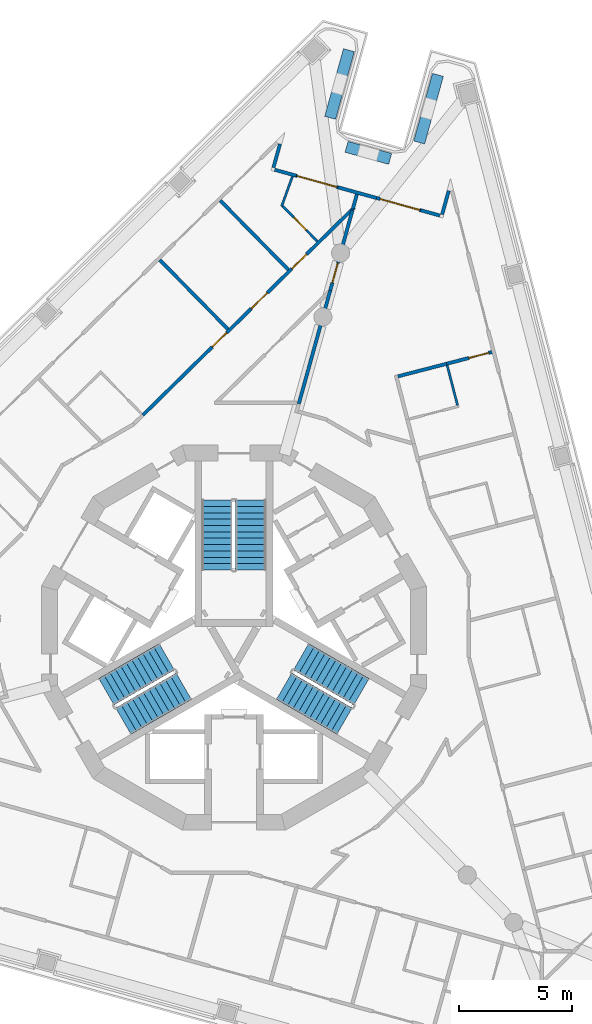
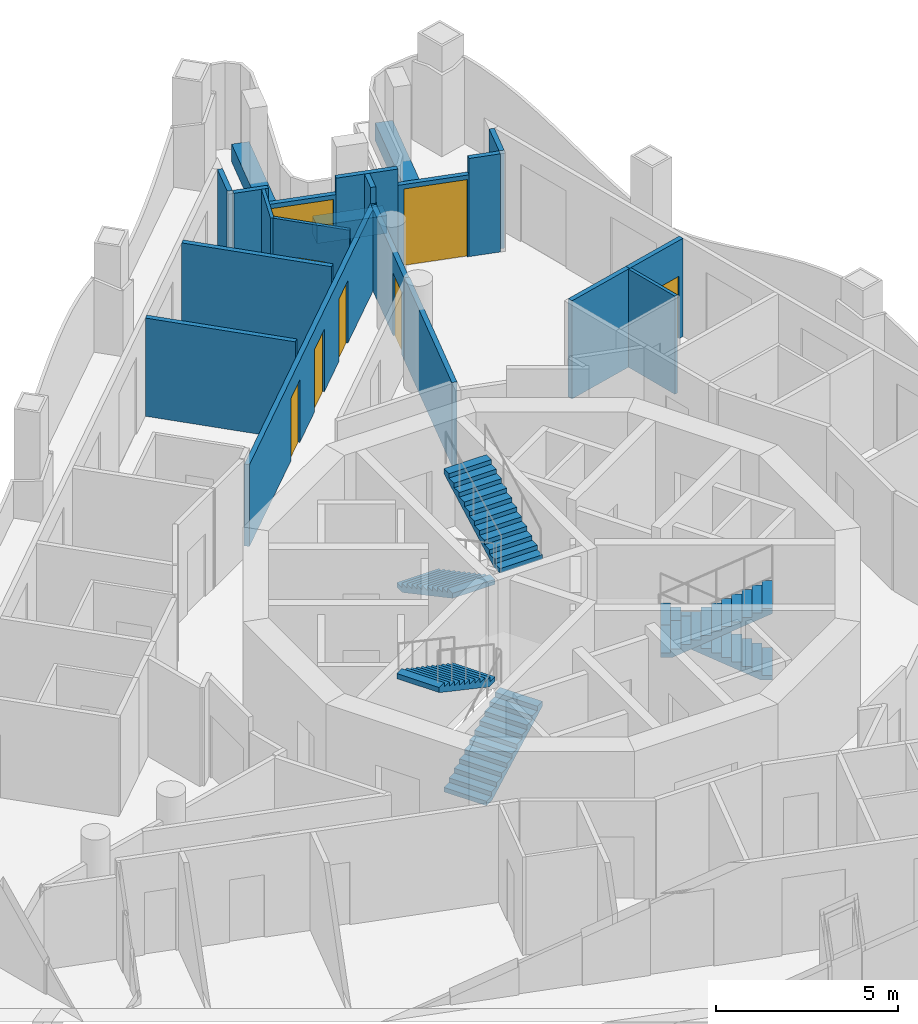
# One storey, part 8 of 14: 21 walls, 8 doors, 6 stair flights, 8 openings, 3 elements without a shape of their own.
"""IFC4 building model written with IfcOpenShell, lengths in metres."""

from ifc_helpers import new_model, si_unit, direction, frame, frame_2d, origin, place, context, subcontext, project, spatial, polyline, rectangle, outline, extrude, material, layer, layer_set, type_object, element, fill, aggregate, save


model = new_model("IFC4")

# Units and contexts
model_context = context("Model", 3, precision=1e-05, world=origin(), true_north=direction((0.0, 1.0)))
body_context = subcontext(model_context, "Body", "Model", "MODEL_VIEW")
ifc_project = project(units=[si_unit("LENGTHUNIT", "METRE"), si_unit("AREAUNIT", "SQUARE_METRE"), si_unit("VOLUMEUNIT", "CUBIC_METRE"), si_unit("PLANEANGLEUNIT", "RADIAN"), si_unit("MASSUNIT", "GRAM", prefix="KILO")], contexts=[model_context])

# Site, building, storey
site_placement = place(None, origin())
site = spatial("IfcSite", under=ifc_project, at=site_placement, CompositionType="ELEMENT")
building_placement = place(site_placement, origin())
building = spatial("IfcBuilding", under=site, at=building_placement, Name="Trine Commons Tower", CompositionType="ELEMENT")
storey_placement = place(building_placement, frame((0.0, 0.0, 249.300048828125)))
storey = spatial("IfcBuildingStorey", under=building, at=storey_placement, Name="L65", CompositionType="ELEMENT", Elevation=249.300048828125)

# Walls
ifc_material_1 = material(Name="Aluminium-framed insulated wall panel", Category="aluminium")
ifc_layer_1 = layer(ifc_material_1, 0.14990234375)
ifc_layer_set_1 = layer_set([ifc_layer_1], Name="Aluminium-framed insulated wall panel")
wall_type_1 = type_object("IfcWallType", Name="Glazed frame wall 150, EI 60", PredefinedType="SOLIDWALL", material=ifc_layer_set_1)
wall_1_placement = place(storey_placement, frame((82.07470703125, 84.444091796875, 0.0), z_axis=(0.0, 0.0, 1.0), x_axis=(-0.267185113528, -0.963645222636, 0.0)))
element("IfcWall", 1, at=wall_1_placement, inside=storey, type_object=wall_type_1, Name="Glazed frame wall R2", PredefinedType="SOLIDWALL", context=body_context, shape_type="SweptSolid", body=[
    extrude(outline(polyline([(0.1494140625, 0.074951171875), (0.1494140625, -0.074951171875), (1.235107421875, -0.074951171875), (1.235107421875, 0.074951171875), (0.1494140625, 0.074951171875)])), origin(), (0.0, 0.0, 1.0), 3.300048828125),
])
wall_2_placement = place(storey_placement, frame((81.69091796875, 83.19091796875, 0.0), z_axis=(0.0, 0.0, 1.0), x_axis=(0.963695763094, -0.267002764395, 0.0)))
element("IfcWall", 2, at=wall_2_placement, inside=storey, type_object=wall_type_1, Name="Glazed frame wall P1.1", PredefinedType="SOLIDWALL", context=body_context, shape_type="SweptSolid", body=[
    extrude(outline(polyline([(0.110107421875, -0.074951171875), (1.10009765625, -0.074951171875), (1.10009765625, 0.074951171875), (0.110107421875, 0.074951171875), (0.110107421875, -0.074951171875)])), origin(), (0.0, 0.0, 1.0), 3.300048828125),
])

# Wall, opening, door
wall_3_placement = place(storey_placement, frame((82.7509765625, 82.897216796875, 0.0), z_axis=(0.0, 0.0, 1.0), x_axis=(0.963605233176, -0.267329299921, 0.0)))
wall_3 = element("IfcWall", 3, at=wall_3_placement, inside=storey, type_object=wall_type_1, Name="Glazed frame wall P1.2", PredefinedType="SOLIDWALL", context=body_context, shape_type="SweptSolid", body=[
    extrude(outline(polyline([(0.0, -0.074951171875), (1.92138671875, -0.074951171875), (1.92138671875, 0.074951171875), (0.0, 0.074951171875), (0.0, -0.074951171875)])), origin(), (0.0, 0.0, 1.0), 2.75),
])
opening_1_placement = place(wall_3_placement, frame((0.050048828125, 0.0, 0.0)))
opening_1 = element("IfcOpeningElement", 4, at=opening_1_placement, cuts=wall_3, Name="Opening BD-7P1-01", PredefinedType="OPENING", context=body_context, shape_type="SweptSolid", body=[
    extrude(rectangle(XDim=1.800048828125, YDim=2.60009765625, at=frame_2d((0.89990234375, 1.300048828125))), frame((0.0, 0.0849609375, 0.0), z_axis=(0.0, -1.0, 0.0), x_axis=(1.0, 0.0, 0.0)), (0.0, 0.0, 1.0), 0.169921875),
])
ifc_material_2 = material(Name="Anodised aluminium frame with double glazing", Category="aluminium")
door_type_1 = type_object("IfcDoorType", Name="Sliding loggia door 1800x2600", OperationType="SLIDING_TO_LEFT", PredefinedType="DOOR", material=ifc_material_2)
door_1_placement = place(opening_1_placement, origin())
door_1 = element("IfcDoor", 5, at=door_1_placement, inside=storey, type_object=door_type_1, Name="Loggia door P1 1", OperationType="SLIDING_TO_LEFT", OverallHeight=2.60009765625, OverallWidth=1.800048828125, PredefinedType="DOOR", context=body_context, shape_type="SweptSolid", body=[
    extrude(rectangle(XDim=1.800048828125, YDim=2.60009765625, at=frame_2d((0.89990234375, 1.300048828125))), frame((0.0, 0.02490234375, 0.0), z_axis=(0.0, -1.0, 0.0), x_axis=(1.0, 0.0, 0.0)), (0.0, 0.0, 1.0), 0.050048828125),
])
fill(opening_1, door_1)

# Wall
wall_4_placement = place(storey_placement, frame((84.6025390625, 82.383544921875, 0.0), z_axis=(0.0, 0.0, 1.0), x_axis=(0.963649164221, -0.267170897174, 0.0)))
element("IfcWall", 6, at=wall_4_placement, inside=storey, type_object=wall_type_1, Name="Glazed frame wall P1.3", PredefinedType="SOLIDWALL", context=body_context, shape_type="SweptSolid", body=[
    extrude(outline(polyline([(0.0, -0.074951171875), (1.757080078125, -0.074951171875), (1.757080078125, 0.074951171875), (0.0, 0.074951171875), (0.0, -0.074951171875)])), origin(), (0.0, 0.0, 1.0), 3.300048828125),
])

# Wall, opening, door
wall_5_placement = place(storey_placement, frame((86.2958984375, 81.9140625, 0.0), z_axis=(0.0, 0.0, 1.0), x_axis=(0.963614750545, -0.267294991596, 0.0)))
wall_5 = element("IfcWall", 7, at=wall_5_placement, inside=storey, type_object=wall_type_1, Name="Glazed frame wall P1.4", PredefinedType="SOLIDWALL", context=body_context, shape_type="SweptSolid", body=[
    extrude(outline(polyline([(0.0, -0.074951171875), (2.021484375, -0.074951171875), (2.021484375, 0.074951171875), (0.0, 0.074951171875), (0.0, -0.074951171875)])), origin(), (0.0, 0.0, 1.0), 2.75),
])
opening_2_placement = place(wall_5_placement, frame((0.17138671875, 0.0, 0.0)))
opening_2 = element("IfcOpeningElement", 8, at=opening_2_placement, cuts=wall_5, Name="Opening BD-7P1-02", PredefinedType="OPENING", context=body_context, shape_type="SweptSolid", body=[
    extrude(rectangle(XDim=1.800048828125, YDim=2.60009765625, at=frame_2d((0.89990234375, 1.300048828125))), frame((0.0, 0.0849609375, 0.0), z_axis=(0.0, -1.0, 0.0), x_axis=(1.0, 0.0, 0.0)), (0.0, 0.0, 1.0), 0.169921875),
])
door_2_placement = place(opening_2_placement, origin())
door_2 = element("IfcDoor", 9, at=door_2_placement, inside=storey, type_object=door_type_1, Name="Loggia door P1 2", OperationType="SLIDING_TO_LEFT", OverallHeight=2.60009765625, OverallWidth=1.800048828125, PredefinedType="DOOR", context=body_context, shape_type="SweptSolid", body=[
    extrude(rectangle(XDim=1.800048828125, YDim=2.60009765625, at=frame_2d((0.89990234375, 1.300048828125))), frame((0.0, 0.02490234375, 0.0), z_axis=(0.0, -1.0, 0.0), x_axis=(1.0, 0.0, 0.0)), (0.0, 0.0, 1.0), 0.050048828125),
])
fill(opening_2, door_2)

# Walls
wall_6_placement = place(storey_placement, frame((88.24365234375, 81.373779296875, 0.0), z_axis=(0.0, 0.0, 1.0), x_axis=(0.963668166343, -0.267102349627, 0.0)))
element("IfcWall", 10, at=wall_6_placement, inside=storey, type_object=wall_type_1, Name="Glazed frame wall P1.5", PredefinedType="SOLIDWALL", context=body_context, shape_type="SweptSolid", body=[
    extrude(outline(polyline([(0.889892578125, 0.074951171875), (0.0, 0.074951171875), (0.0, -0.074951171875), (0.889892578125, -0.074951171875), (0.889892578125, 0.074951171875)])), origin(), (0.0, 0.0, 1.0), 3.300048828125),
])
wall_7_placement = place(storey_placement, frame((89.164306640625, 81.082275390625, 0.0), z_axis=(0.0, 0.0, 1.0), x_axis=(0.267185113528, 0.963645222636, 0.0)))
element("IfcWall", 11, at=wall_7_placement, inside=storey, type_object=wall_type_1, Name="Glazed frame wall R4", PredefinedType="SOLIDWALL", context=body_context, shape_type="SweptSolid", body=[
    extrude(outline(polyline([(0.110107421875, 0.074951171875), (0.110107421875, -0.074951171875), (1.19580078125, -0.074951171875), (1.19580078125, 0.074951171875), (0.110107421875, 0.074951171875)])), origin(), (0.0, 0.0, 1.0), 3.300048828125),
])
ifc_material_3 = material(Name="Planter trough, precast concrete C40/50", Category="concrete")
ifc_layer_2 = layer(ifc_material_3, 0.5)
ifc_layer_set_2 = layer_set([ifc_layer_2], Name="Planter trough, precast concrete C40/50")
wall_type_2 = type_object("IfcWallType", Name="Planter trough 500x600", PredefinedType="PARAPET", material=ifc_layer_set_2)
wall_8_placement = place(storey_placement, frame((85.077392578125, 88.44189453125, 0.0), z_axis=(0.0, 0.0, 1.0), x_axis=(-0.267286412249, -0.96361713031, 0.0)))
element("IfcWall", 12, at=wall_8_placement, inside=storey, type_object=wall_type_2, Name="Planter 4", PredefinedType="PARAPET", context=body_context, shape_type="SweptSolid", body=[
    extrude(rectangle(XDim=3.10009765625, YDim=0.5, at=frame_2d((1.550048828125, 0.0))), origin(), (0.0, 0.0, 1.0), 0.599853515625),
])
wall_9_placement = place(storey_placement, frame((84.97314453125, 84.174560546875, 0.0), z_axis=(0.0, 0.0, 1.0), x_axis=(0.963636738571, -0.267215710759, 0.0)))
element("IfcWall", 13, at=wall_9_placement, inside=storey, type_object=wall_type_2, Name="Planter 5", PredefinedType="PARAPET", context=body_context, shape_type="SweptSolid", body=[
    extrude(rectangle(XDim=2.0, YDim=0.5, at=frame_2d((1.0, 0.0))), origin(), (0.0, 0.0, 1.0), 0.599853515625),
])
wall_10_placement = place(storey_placement, frame((88.1806640625, 84.364501953125, 0.0), z_axis=(0.0, 0.0, 1.0), x_axis=(0.267213283561, 0.963637411628, 0.0)))
element("IfcWall", 14, at=wall_10_placement, inside=storey, type_object=wall_type_2, Name="Planter 6", PredefinedType="PARAPET", context=body_context, shape_type="SweptSolid", body=[
    extrude(rectangle(XDim=3.10009765625, YDim=0.5, at=frame_2d((1.550048828125, 0.0))), origin(), (0.0, 0.0, 1.0), 0.599853515625),
])

# Wall, openings, doors
ifc_material_4 = material(Name="Gypsum plasterboard on steel stud", Category="steel")
ifc_layer_3 = layer(ifc_material_4, 0.14990234375)
ifc_layer_set_3 = layer_set([ifc_layer_3], Name="Gypsum plasterboard on steel stud")
wall_type_3 = type_object("IfcWallType", Name="Unit and corridor wall 150 mm, EI 60", PredefinedType="PARTITIONING", material=ifc_layer_set_3)
wall_11_placement = place(storey_placement, frame((75.97705078125, 72.324951171875, 0.0), z_axis=(0.0, 0.0, 1.0), x_axis=(0.713220688221, 0.700939547959, 0.0)))
wall_11 = element("IfcWall", 15, at=wall_11_placement, inside=storey, type_object=wall_type_3, Name="Partition 042", PredefinedType="PARTITIONING", context=body_context, shape_type="SweptSolid", body=[
    extrude(rectangle(XDim=13.08056640625, YDim=0.14990234375, at=frame_2d((6.540283203125, 0.0))), origin(), (0.0, 0.0, 1.0), 2.75),
])
opening_3_placement = place(wall_11_placement, frame((4.290283203125, 0.0, 0.0)))
opening_3 = element("IfcOpeningElement", 16, at=opening_3_placement, cuts=wall_11, Name="Opening D-7B07", PredefinedType="OPENING", context=body_context, shape_type="SweptSolid", body=[
    extrude(rectangle(XDim=0.89990234375, YDim=2.10009765625, at=frame_2d((0.449951171875, 1.050048828125))), frame((0.0, 0.0849609375, 0.0), z_axis=(0.0, -1.0, 0.0), x_axis=(1.0, 0.0, 0.0)), (0.0, 0.0, 1.0), 0.169921875),
])
opening_4_placement = place(wall_11_placement, frame((6.711669921875, 0.0, 0.0)))
opening_4 = element("IfcOpeningElement", 17, at=opening_4_placement, cuts=wall_11, Name="Opening D-7B08", PredefinedType="OPENING", context=body_context, shape_type="SweptSolid", body=[
    extrude(rectangle(XDim=1.0, YDim=2.10009765625, at=frame_2d((0.5, 1.050048828125))), frame((0.0, 0.0849609375, 0.0), z_axis=(0.0, -1.0, 0.0), x_axis=(1.0, 0.0, 0.0)), (0.0, 0.0, 1.0), 0.169921875),
])
opening_5_placement = place(wall_11_placement, frame((9.233154296875, 0.0, 0.0)))
opening_5 = element("IfcOpeningElement", 18, at=opening_5_placement, cuts=wall_11, Name="Opening D-7B09", PredefinedType="OPENING", context=body_context, shape_type="SweptSolid", body=[
    extrude(rectangle(XDim=0.89990234375, YDim=2.10009765625, at=frame_2d((0.449951171875, 1.050048828125))), frame((0.0, 0.0849609375, 0.0), z_axis=(0.0, -1.0, 0.0), x_axis=(1.0, 0.0, 0.0)), (0.0, 0.0, 1.0), 0.169921875),
])
ifc_material_5 = material(Name="Painted timber", Category="wood")
door_type_2 = type_object("IfcDoorType", Name="Amenity room door 1000 x 2100, NOT RATED", OperationType="NOTDEFINED", PredefinedType="DOOR", material=ifc_material_5)
door_3_placement = place(opening_4_placement, origin())
door_3 = element("IfcDoor", 19, at=door_3_placement, inside=storey, type_object=door_type_2, Name="Door D-7B08", OperationType="SINGLE_SWING_RIGHT", OverallHeight=2.10009765625, OverallWidth=1.0, PredefinedType="DOOR", context=body_context, shape_type="SweptSolid", body=[
    extrude(rectangle(XDim=1.0, YDim=2.10009765625, at=frame_2d((0.5, 1.050048828125))), frame((0.0, 0.02490234375, 0.0), z_axis=(0.0, -1.0, 0.0), x_axis=(1.0, 0.0, 0.0)), (0.0, 0.0, 1.0), 0.050048828125),
])
fill(opening_4, door_3)
ifc_material_6 = material(Name="Timber fire door set", Category="wood")
door_type_3 = type_object("IfcDoorType", Name="Bedroom door 900 x 2100, FD30S", OperationType="NOTDEFINED", PredefinedType="DOOR", material=ifc_material_6)
door_4_placement = place(opening_3_placement, origin())
door_4 = element("IfcDoor", 20, at=door_4_placement, inside=storey, type_object=door_type_3, Name="Door D-7B07", OperationType="SINGLE_SWING_LEFT", OverallHeight=2.10009765625, OverallWidth=0.89990234375, PredefinedType="DOOR", context=body_context, shape_type="SweptSolid", body=[
    extrude(rectangle(XDim=0.89990234375, YDim=2.10009765625, at=frame_2d((0.449951171875, 1.050048828125))), frame((0.0, 0.02490234375, 0.0), z_axis=(0.0, -1.0, 0.0), x_axis=(1.0, 0.0, 0.0)), (0.0, 0.0, 1.0), 0.050048828125),
])
fill(opening_3, door_4)
door_5_placement = place(opening_5_placement, origin())
door_5 = element("IfcDoor", 21, at=door_5_placement, inside=storey, type_object=door_type_3, Name="Door D-7B09", OperationType="SINGLE_SWING_RIGHT", OverallHeight=2.10009765625, OverallWidth=0.89990234375, PredefinedType="DOOR", context=body_context, shape_type="SweptSolid", body=[
    extrude(rectangle(XDim=0.89990234375, YDim=2.10009765625, at=frame_2d((0.449951171875, 1.050048828125))), frame((0.0, 0.02490234375, 0.0), z_axis=(0.0, -1.0, 0.0), x_axis=(1.0, 0.0, 0.0)), (0.0, 0.0, 1.0), 0.050048828125),
])
fill(opening_5, door_5)

# Walls
for number, where, z_axis, x_axis, name in (
    (22, (76.72998046875, 79.177490234375, 0.0), (0.0, 0.0, 1.0), (0.70095501421, -0.713205487958, 0.0), "Partition 043"),
    (23, (79.39892578125, 81.801513671875, 0.0), (0.0, 0.0, 1.0), (0.70095501421, -0.713205487958, 0.0), "Partition 048"),
):
    element("IfcWall", number, at=place(storey_placement, frame(where, z_axis=z_axis, x_axis=x_axis)), inside=storey, type_object=wall_type_3, Name=name, PredefinedType="PARTITIONING", context=body_context, shape_type="SweptSolid", body=[
        extrude(rectangle(XDim=4.28466796875, YDim=0.14990234375, at=frame_2d((2.142333984375, 0.0))), origin(), (0.0, 0.0, 1.0), 3.300048828125),
    ])
wall_12_placement = place(storey_placement, frame((82.863037109375, 72.822998046875, 0.0), z_axis=(0.0, 0.0, 1.0), x_axis=(0.267297315726, 0.963614105857, 0.0)))
element("IfcWall", 24, at=wall_12_placement, inside=storey, type_object=wall_type_3, Name="Partition 058", PredefinedType="PARTITIONING", context=body_context, shape_type="SweptSolid", body=[
    extrude(rectangle(XDim=5.196044921875, YDim=0.14990234375, at=frame_2d((2.59814453125, 0.0))), origin(), (0.0, 0.0, 1.0), 2.800048828125),
])

# Wall, opening, door
wall_13_placement = place(storey_placement, frame((84.25, 77.826904296875, 0.0), z_axis=(0.0, 0.0, 1.0), x_axis=(0.267414329718, 0.963581639645, 0.0)))
wall_13 = element("IfcWall", 25, at=wall_13_placement, inside=storey, type_object=wall_type_3, Name="Partition 062", PredefinedType="PARTITIONING", context=body_context, shape_type="SweptSolid", body=[
    extrude(rectangle(XDim=3.675537109375, YDim=0.14990234375, at=frame_2d((1.837890625, 0.0))), origin(), (0.0, 0.0, 1.0), 2.75),
])
opening_6_placement = place(wall_13_placement, frame((0.357421875, 0.0, 0.0)))
opening_6 = element("IfcOpeningElement", 26, at=opening_6_placement, cuts=wall_13, Name="Opening D-7B01", PredefinedType="OPENING", context=body_context, shape_type="SweptSolid", body=[
    extrude(rectangle(XDim=0.89990234375, YDim=2.10009765625, at=frame_2d((0.449951171875, 1.050048828125))), frame((0.0, 0.0849609375, 0.0), z_axis=(0.0, -1.0, 0.0), x_axis=(1.0, 0.0, 0.0)), (0.0, 0.0, 1.0), 0.169921875),
])
door_type_4 = type_object("IfcDoorType", Name="Cluster entrance door 900 x 2100, FD30S", OperationType="NOTDEFINED", PredefinedType="DOOR", material=ifc_material_6)
door_6_placement = place(opening_6_placement, frame((0.89990234375, 0.0, 0.0), z_axis=(0.0, 0.0, 1.0), x_axis=(-1.0, 0.0, 0.0)))
door_6 = element("IfcDoor", 27, at=door_6_placement, inside=storey, type_object=door_type_4, Name="Door D-7B01", OperationType="SINGLE_SWING_RIGHT", OverallHeight=2.10009765625, OverallWidth=0.89990234375, PredefinedType="DOOR", context=body_context, shape_type="SweptSolid", body=[
    extrude(rectangle(XDim=0.89990234375, YDim=2.10009765625, at=frame_2d((0.449951171875, 1.050048828125))), frame((0.0, 0.02490234375, 0.0), z_axis=(0.0, -1.0, 0.0), x_axis=(1.0, 0.0, 0.0)), (0.0, 0.0, 1.0), 0.050048828125),
])
fill(opening_6, door_6)

# Walls
wall_14_placement = place(storey_placement, frame((85.25, 81.429931640625, 0.0), z_axis=(0.0, 0.0, 1.0), x_axis=(0.267118275652, 0.963663751945, 0.0)))
element("IfcWall", 28, at=wall_14_placement, inside=storey, type_object=wall_type_3, Name="Partition 067", PredefinedType="PARTITIONING", context=body_context, shape_type="SweptSolid", body=[
    extrude(rectangle(XDim=0.6708984375, YDim=0.14990234375, at=frame_2d((0.33544921875, 0.0))), origin(), (0.0, 0.0, 1.0), 3.300048828125),
])
wall_15_placement = place(storey_placement, frame((87.24462890625, 74.038818359375, 0.0), z_axis=(0.0, 0.0, 1.0), x_axis=(0.968111523226, 0.250519617189, 0.0)))
element("IfcWall", 29, at=wall_15_placement, inside=storey, type_object=wall_type_3, Name="Partition 073", PredefinedType="PARTITIONING", context=body_context, shape_type="SweptSolid", body=[
    extrude(rectangle(XDim=2.278564453125, YDim=0.14990234375, at=frame_2d((1.13916015625, 0.0))), origin(), (0.0, 0.0, 1.0), 3.300048828125),
])

# Wall, opening, door
wall_16_placement = place(storey_placement, frame((89.39404296875, 74.594970703125, 0.0), z_axis=(0.0, 0.0, 1.0), x_axis=(0.968142464443, 0.250400017058, 0.0)))
wall_16 = element("IfcWall", 30, at=wall_16_placement, inside=storey, type_object=wall_type_3, Name="Partition 089", PredefinedType="PARTITIONING", context=body_context, shape_type="SweptSolid", body=[
    extrude(rectangle(XDim=2.06494140625, YDim=0.14990234375, at=frame_2d((1.032470703125, 0.0))), origin(), (0.0, 0.0, 1.0), 3.300048828125),
])
opening_7_placement = place(wall_16_placement, frame((1.01513671875, 0.0, 0.0)))
opening_7 = element("IfcOpeningElement", 31, at=opening_7_placement, cuts=wall_16, Name="Opening D-7B10", PredefinedType="OPENING", context=body_context, shape_type="SweptSolid", body=[
    extrude(rectangle(XDim=0.89990234375, YDim=2.10009765625, at=frame_2d((0.449951171875, 1.050048828125))), frame((0.0, 0.0849609375, 0.0), z_axis=(0.0, -1.0, 0.0), x_axis=(1.0, 0.0, 0.0)), (0.0, 0.0, 1.0), 0.169921875),
])
door_7_placement = place(opening_7_placement, frame((0.89990234375, 0.0, 0.0), z_axis=(0.0, 0.0, 1.0), x_axis=(-1.0, 0.0, 0.0)))
door_7 = element("IfcDoor", 32, at=door_7_placement, inside=storey, type_object=door_type_3, Name="Door D-7B10", OperationType="SINGLE_SWING_LEFT", OverallHeight=2.10009765625, OverallWidth=0.89990234375, PredefinedType="DOOR", context=body_context, shape_type="SweptSolid", body=[
    extrude(rectangle(XDim=0.89990234375, YDim=2.10009765625, at=frame_2d((0.449951171875, 1.050048828125))), frame((0.0, 0.02490234375, 0.0), z_axis=(0.0, -1.0, 0.0), x_axis=(1.0, 0.0, 0.0)), (0.0, 0.0, 1.0), 0.050048828125),
])
fill(opening_7, door_7)

# Wall
ifc_layer_4 = layer(ifc_material_4, 0.10009765625)
ifc_layer_set_4 = layer_set([ifc_layer_4], Name="Gypsum plasterboard on steel stud")
wall_type_4 = type_object("IfcWallType", Name="Unit partition 100 mm, no rating", PredefinedType="PARTITIONING", material=ifc_layer_set_4)
wall_17_placement = place(storey_placement, frame((82.10498046875, 81.5419921875, 0.0), z_axis=(0.0, 0.0, 1.0), x_axis=(0.339793564438, 0.940500044427, 0.0)))
element("IfcWall", 33, at=wall_17_placement, inside=storey, type_object=wall_type_4, Name="Partition 051", PredefinedType="PARTITIONING", context=body_context, shape_type="SweptSolid", body=[
    extrude(rectangle(XDim=1.408203125, YDim=0.10009765625, at=frame_2d((0.7041015625, 0.0))), origin(), (0.0, 0.0, 1.0), 3.300048828125),
])

# Wall, opening, door
wall_18_placement = place(storey_placement, frame((82.156982421875, 81.55322265625, 0.0), z_axis=(0.0, 0.0, 1.0), x_axis=(0.700793702446, -0.713363993073, 0.0)))
wall_18 = element("IfcWall", 34, at=wall_18_placement, inside=storey, type_object=wall_type_4, Name="Partition 052", PredefinedType="PARTITIONING", context=body_context, shape_type="SweptSolid", body=[
    extrude(rectangle(XDim=2.17529296875, YDim=0.10009765625, at=frame_2d((1.087646484375, 0.0))), origin(), (0.0, 0.0, 1.0), 3.300048828125),
])
opening_8_placement = place(wall_18_placement, frame((0.6875, 0.0, 0.0)))
opening_8 = element("IfcOpeningElement", 35, at=opening_8_placement, cuts=wall_18, Name="Opening D-7B29", PredefinedType="OPENING", context=body_context, shape_type="SweptSolid", body=[
    extrude(rectangle(XDim=0.800048828125, YDim=2.10009765625, at=frame_2d((0.39990234375, 1.050048828125))), frame((0.0, 0.06005859375, 0.0), z_axis=(0.0, -1.0, 0.0), x_axis=(1.0, 0.0, 0.0)), (0.0, 0.0, 1.0), 0.1201171875),
])
door_type_5 = type_object("IfcDoorType", Name="Internal door 800 x 2100, NOT RATED", OperationType="NOTDEFINED", PredefinedType="DOOR", material=ifc_material_5)
door_8_placement = place(opening_8_placement, frame((0.800048828125, 0.0, 0.0), z_axis=(0.0, 0.0, 1.0), x_axis=(-1.0, 0.0, 0.0)))
door_8 = element("IfcDoor", 36, at=door_8_placement, inside=storey, type_object=door_type_5, Name="Door D-7B29", OperationType="SINGLE_SWING_RIGHT", OverallHeight=2.10009765625, OverallWidth=0.800048828125, PredefinedType="DOOR", context=body_context, shape_type="SweptSolid", body=[
    extrude(rectangle(XDim=0.800048828125, YDim=2.10009765625, at=frame_2d((0.39990234375, 1.050048828125))), frame((0.0, 0.02490234375, 0.0), z_axis=(0.0, -1.0, 0.0), x_axis=(1.0, 0.0, 0.0)), (0.0, 0.0, 1.0), 0.050048828125),
])
fill(opening_8, door_8)

# Wall
wall_19_placement = place(storey_placement, frame((89.416748046875, 74.5234375, 0.0), z_axis=(0.0, 0.0, 1.0), x_axis=(0.250771850977, -0.968046217263, 0.0)))
element("IfcWall", 37, at=wall_19_placement, inside=storey, type_object=wall_type_4, Name="Partition 090", PredefinedType="PARTITIONING", context=body_context, shape_type="SweptSolid", body=[
    extrude(rectangle(XDim=1.825439453125, YDim=0.10009765625, at=frame_2d((0.91259765625, 0.0))), origin(), (0.0, 0.0, 1.0), 3.300048828125),
])

# Stair, stair flights
ifc_material_7 = material(Name="Concrete C50/60", Category="concrete")
stair_type = type_object("IfcStairType", Name="Exit stair, dog-leg, 24 risers of 150 mm", PredefinedType="HALF_TURN_STAIR", material=ifc_material_7)
stair_1_placement = place(storey_placement, origin())
stair_1 = element("IfcStair", 38, at=stair_1_placement, inside=storey, type_object=stair_type, Name="L65 Exit stair ST1C", PredefinedType="HALF_TURN_STAIR")
stair_flight_type = type_object("IfcStairFlightType", Name="Stair flight, 1350 wide, 12 risers of 150 mm", PredefinedType="STRAIGHT", material=ifc_material_7)
stair_flight_1_placement = place(storey_placement, frame((79.25, 68.570556640625, 0.0), z_axis=(0.0, 0.0, 1.0), x_axis=(0.0, -1.0, 0.0)))
stair_flight_1 = element("IfcStairFlight", 39, at=stair_flight_1_placement, type_object=stair_flight_type, Name="ST1C flight 1", NumberOfRisers=12, NumberOfTreads=11, PredefinedType="STRAIGHT", RiserHeight=0.15, TreadLength=0.28, context=body_context, shape_type="SweptSolid", body=[
    extrude(outline(polyline([(0.0, 0.0), (0.0, 0.14990234375), (0.280029296875, 0.14990234375), (0.280029296875, 0.300048828125), (0.56005859375, 0.300048828125), (0.56005859375, 0.449951171875), (0.840087890625, 0.449951171875), (0.840087890625, 0.60009765625), (1.1201171875, 0.60009765625), (1.1201171875, 0.75), (1.39990234375, 0.75), (1.39990234375, 0.89990234375), (1.679931640625, 0.89990234375), (1.679931640625, 1.050048828125), (1.9599609375, 1.050048828125), (1.9599609375, 1.199951171875), (2.239990234375, 1.199951171875), (2.239990234375, 1.35009765625), (2.52001953125, 1.35009765625), (2.52001953125, 1.5), (2.800048828125, 1.5), (2.800048828125, 1.64990234375), (3.080078125, 1.64990234375), (3.080078125, 1.800048828125), (3.080078125, 1.47998046875), (0.3173828125, 0.0), (0.0, 0.0)])), frame((0.0, 0.675048828125, 0.0), z_axis=(0.0, -1.0, 0.0), x_axis=(1.0, 0.0, 0.0)), (0.0, 0.0, 1.0), 1.35009765625),
])
stair_flight_2_placement = place(storey_placement, frame((80.75, 65.490478515625, 1.800048828125), z_axis=(0.0, 0.0, 1.0), x_axis=(0.0, 1.0, 0.0)))
stair_flight_2 = element("IfcStairFlight", 40, at=stair_flight_2_placement, type_object=stair_flight_type, Name="ST1C flight 2", NumberOfRisers=12, NumberOfTreads=11, PredefinedType="STRAIGHT", RiserHeight=0.15, TreadLength=0.28, context=body_context, shape_type="SweptSolid", body=[
    extrude(outline(polyline([(0.0, 0.0), (0.0, 0.14990234375), (0.280029296875, 0.14990234375), (0.280029296875, 0.300048828125), (0.56005859375, 0.300048828125), (0.56005859375, 0.449951171875), (0.840087890625, 0.449951171875), (0.840087890625, 0.60009765625), (1.1201171875, 0.60009765625), (1.1201171875, 0.75), (1.39990234375, 0.75), (1.39990234375, 0.89990234375), (1.679931640625, 0.89990234375), (1.679931640625, 1.050048828125), (1.9599609375, 1.050048828125), (1.9599609375, 1.199951171875), (2.239990234375, 1.199951171875), (2.239990234375, 1.35009765625), (2.52001953125, 1.35009765625), (2.52001953125, 1.5), (2.800048828125, 1.5), (2.800048828125, 1.64990234375), (3.080078125, 1.64990234375), (3.080078125, 1.800048828125), (3.080078125, 1.47998046875), (0.3173828125, 0.0), (0.0, 0.0)])), frame((0.0, 0.675048828125, 0.0), z_axis=(0.0, -1.0, 0.0), x_axis=(1.0, 0.0, 0.0)), (0.0, 0.0, 1.0), 1.35009765625),
])
aggregate(stair_1, [stair_flight_1, stair_flight_2])

stair_2_placement = place(storey_placement, origin())
stair_2 = element("IfcStair", 41, at=stair_2_placement, inside=storey, type_object=stair_type, Name="L65 Exit stair ST2C", PredefinedType="HALF_TURN_STAIR")
stair_flight_3_placement = place(storey_placement, frame((75.11767578125, 58.815185546875, 0.0), z_axis=(0.0, 0.0, 1.0), x_axis=(0.866025403784, 0.5, 0.0)))
stair_flight_3 = element("IfcStairFlight", 42, at=stair_flight_3_placement, type_object=stair_flight_type, Name="ST2C flight 1", NumberOfRisers=12, NumberOfTreads=11, PredefinedType="STRAIGHT", RiserHeight=0.15, TreadLength=0.28, context=body_context, shape_type="SweptSolid", body=[
    extrude(outline(polyline([(0.0, 0.0), (0.0, 0.14990234375), (0.280029296875, 0.14990234375), (0.280029296875, 0.300048828125), (0.56005859375, 0.300048828125), (0.56005859375, 0.449951171875), (0.840087890625, 0.449951171875), (0.840087890625, 0.60009765625), (1.1201171875, 0.60009765625), (1.1201171875, 0.75), (1.39990234375, 0.75), (1.39990234375, 0.89990234375), (1.679931640625, 0.89990234375), (1.679931640625, 1.050048828125), (1.9599609375, 1.050048828125), (1.9599609375, 1.199951171875), (2.239990234375, 1.199951171875), (2.239990234375, 1.35009765625), (2.52001953125, 1.35009765625), (2.52001953125, 1.5), (2.800048828125, 1.5), (2.800048828125, 1.64990234375), (3.080078125, 1.64990234375), (3.080078125, 1.800048828125), (3.080078125, 1.47998046875), (0.3173828125, 0.0), (0.0, 0.0)])), frame((0.0, 0.675048828125, 0.0), z_axis=(0.0, -1.0, 0.0), x_axis=(1.0, 0.0, 0.0)), (0.0, 0.0, 1.0), 1.35009765625),
])
stair_flight_4_placement = place(storey_placement, frame((77.03515625, 61.654296875, 1.800048828125), z_axis=(0.0, 0.0, 1.0), x_axis=(-0.866025403784, -0.5, 0.0)))
stair_flight_4 = element("IfcStairFlight", 43, at=stair_flight_4_placement, type_object=stair_flight_type, Name="ST2C flight 2", NumberOfRisers=12, NumberOfTreads=11, PredefinedType="STRAIGHT", RiserHeight=0.15, TreadLength=0.28, context=body_context, shape_type="SweptSolid", body=[
    extrude(outline(polyline([(0.0, 0.0), (0.0, 0.14990234375), (0.280029296875, 0.14990234375), (0.280029296875, 0.300048828125), (0.56005859375, 0.300048828125), (0.56005859375, 0.449951171875), (0.840087890625, 0.449951171875), (0.840087890625, 0.60009765625), (1.1201171875, 0.60009765625), (1.1201171875, 0.75), (1.39990234375, 0.75), (1.39990234375, 0.89990234375), (1.679931640625, 0.89990234375), (1.679931640625, 1.050048828125), (1.9599609375, 1.050048828125), (1.9599609375, 1.199951171875), (2.239990234375, 1.199951171875), (2.239990234375, 1.35009765625), (2.52001953125, 1.35009765625), (2.52001953125, 1.5), (2.800048828125, 1.5), (2.800048828125, 1.64990234375), (3.080078125, 1.64990234375), (3.080078125, 1.800048828125), (3.080078125, 1.47998046875), (0.3173828125, 0.0), (0.0, 0.0)])), frame((0.0, 0.675048828125, 0.0), z_axis=(0.0, -1.0, 0.0), x_axis=(1.0, 0.0, 0.0)), (0.0, 0.0, 1.0), 1.35009765625),
])
aggregate(stair_2, [stair_flight_3, stair_flight_4])

stair_3_placement = place(storey_placement, origin())
stair_3 = element("IfcStair", 44, at=stair_3_placement, inside=storey, type_object=stair_type, Name="L65 Exit stair ST3C", PredefinedType="HALF_TURN_STAIR")
stair_flight_5_placement = place(storey_placement, frame((85.63232421875, 60.1142578125, 0.0), z_axis=(0.0, 0.0, 1.0), x_axis=(-0.866025403784, 0.5, 0.0)))
stair_flight_5 = element("IfcStairFlight", 45, at=stair_flight_5_placement, type_object=stair_flight_type, Name="ST3C flight 1", NumberOfRisers=12, NumberOfTreads=11, PredefinedType="STRAIGHT", RiserHeight=0.15, TreadLength=0.28, context=body_context, shape_type="SweptSolid", body=[
    extrude(outline(polyline([(0.0, 0.0), (0.0, 0.14990234375), (0.280029296875, 0.14990234375), (0.280029296875, 0.300048828125), (0.56005859375, 0.300048828125), (0.56005859375, 0.449951171875), (0.840087890625, 0.449951171875), (0.840087890625, 0.60009765625), (1.1201171875, 0.60009765625), (1.1201171875, 0.75), (1.39990234375, 0.75), (1.39990234375, 0.89990234375), (1.679931640625, 0.89990234375), (1.679931640625, 1.050048828125), (1.9599609375, 1.050048828125), (1.9599609375, 1.199951171875), (2.239990234375, 1.199951171875), (2.239990234375, 1.35009765625), (2.52001953125, 1.35009765625), (2.52001953125, 1.5), (2.800048828125, 1.5), (2.800048828125, 1.64990234375), (3.080078125, 1.64990234375), (3.080078125, 1.800048828125), (3.080078125, 1.47998046875), (0.3173828125, 0.0), (0.0, 0.0)])), frame((0.0, 0.675048828125, 0.0), z_axis=(0.0, -1.0, 0.0), x_axis=(1.0, 0.0, 0.0)), (0.0, 0.0, 1.0), 1.35009765625),
])
stair_flight_6_placement = place(storey_placement, frame((82.21484375, 60.355224609375, 1.800048828125), z_axis=(0.0, 0.0, 1.0), x_axis=(0.866025403784, -0.5, 0.0)))
stair_flight_6 = element("IfcStairFlight", 46, at=stair_flight_6_placement, type_object=stair_flight_type, Name="ST3C flight 2", NumberOfRisers=12, NumberOfTreads=11, PredefinedType="STRAIGHT", RiserHeight=0.15, TreadLength=0.28, context=body_context, shape_type="SweptSolid", body=[
    extrude(outline(polyline([(0.0, 0.0), (0.0, 0.14990234375), (0.280029296875, 0.14990234375), (0.280029296875, 0.300048828125), (0.56005859375, 0.300048828125), (0.56005859375, 0.449951171875), (0.840087890625, 0.449951171875), (0.840087890625, 0.60009765625), (1.1201171875, 0.60009765625), (1.1201171875, 0.75), (1.39990234375, 0.75), (1.39990234375, 0.89990234375), (1.679931640625, 0.89990234375), (1.679931640625, 1.050048828125), (1.9599609375, 1.050048828125), (1.9599609375, 1.199951171875), (2.239990234375, 1.199951171875), (2.239990234375, 1.35009765625), (2.52001953125, 1.35009765625), (2.52001953125, 1.5), (2.800048828125, 1.5), (2.800048828125, 1.64990234375), (3.080078125, 1.64990234375), (3.080078125, 1.800048828125), (3.080078125, 1.47998046875), (0.3173828125, 0.0), (0.0, 0.0)])), frame((0.0, 0.675048828125, 0.0), z_axis=(0.0, -1.0, 0.0), x_axis=(1.0, 0.0, 0.0)), (0.0, 0.0, 1.0), 1.35009765625),
])
aggregate(stair_3, [stair_flight_5, stair_flight_6])

save(model, "model.ifc")
